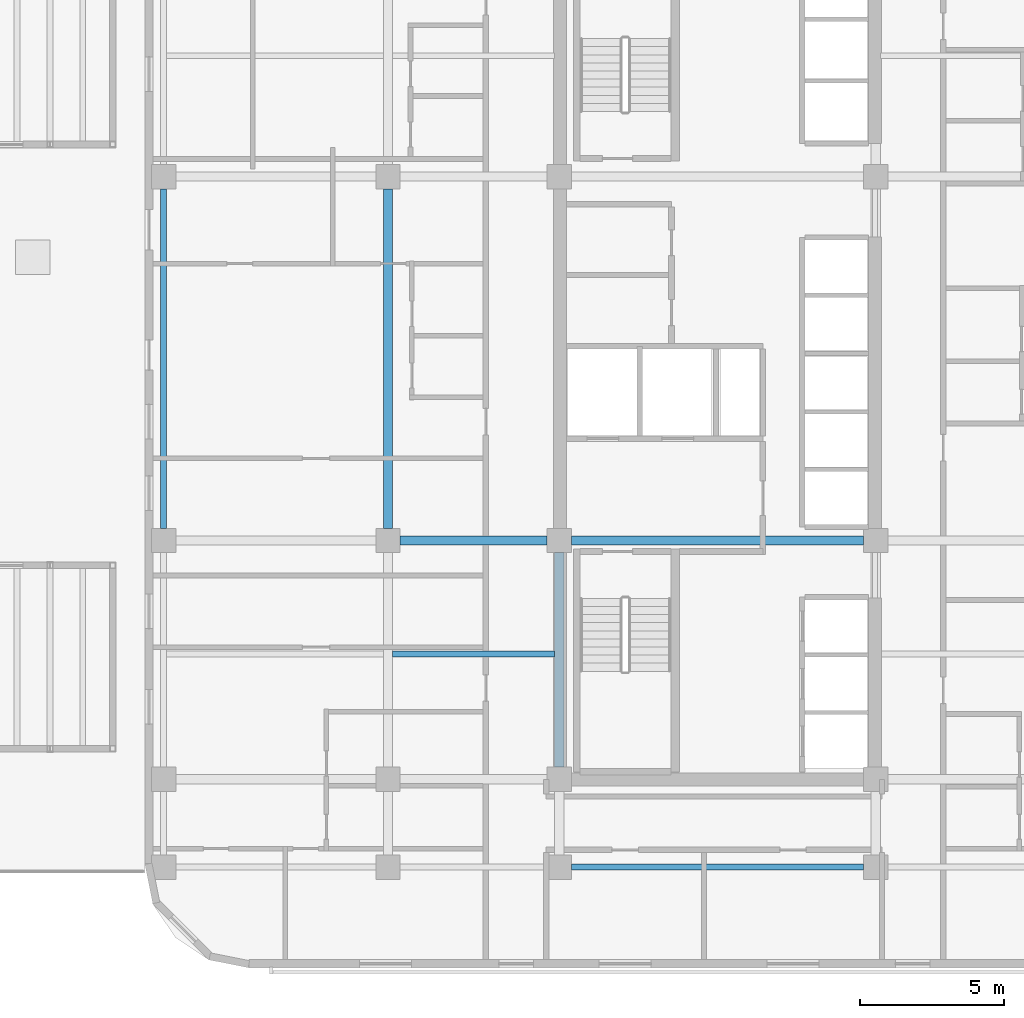
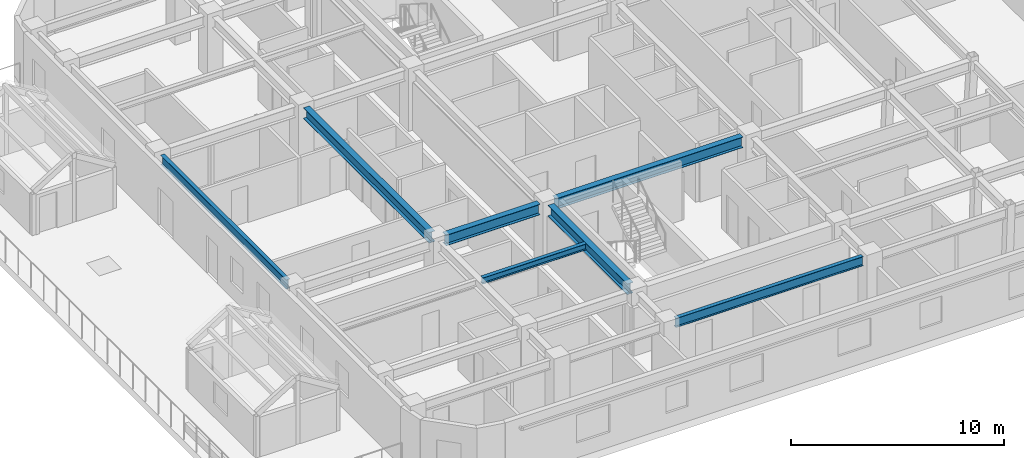
# One storey, part 3 of 19: 7 beams.
"""IFC4 building model written with IfcOpenShell, lengths in metres."""

from ifc_helpers import new_model, si_unit, direction, frame, origin, origin_2d, place, context, subcontext, project, spatial, i_section, extrude, material, material_profile, profile_set, type_object, element, save


model = new_model("IFC4")

# Units and contexts
model_context = context("Model", 3, precision=1e-05, world=origin(), true_north=direction((0.0, 1.0)))
body_context = subcontext(model_context, "Body", "Model", "MODEL_VIEW")
ifc_project = project(units=[si_unit("LENGTHUNIT", "METRE"), si_unit("AREAUNIT", "SQUARE_METRE"), si_unit("VOLUMEUNIT", "CUBIC_METRE"), si_unit("PLANEANGLEUNIT", "RADIAN"), si_unit("MASSUNIT", "GRAM", prefix="KILO")], contexts=[model_context])

# Site, building, storey
site_placement = place(None, origin())
site = spatial("IfcSite", under=ifc_project, at=site_placement, CompositionType="ELEMENT")
building_placement = place(site_placement, origin())
building = spatial("IfcBuilding", under=site, at=building_placement, Name="Ochreholt Gables", CompositionType="ELEMENT")
storey_placement = place(building_placement, frame((0.0, 0.0, 76.800048828125)))
storey = spatial("IfcBuildingStorey", under=building, at=storey_placement, Name="L19", CompositionType="ELEMENT", Elevation=76.800048828125)

# Beams
ifc_material = material(Name="Steel CSA G40.21 350W", Category="steel")
ifc_material_profile_1 = material_profile(ifc_material, i_section(OverallWidth=0.323974609375, OverallDepth=0.611083984375, WebThickness=0.0126953125, FlangeThickness=0.01904296875, at=origin_2d()), Name="W610X155")
ifc_profile_set_1 = profile_set([ifc_material_profile_1], Name="Steel CSA G40.21 350W")
beam_type_1 = type_object("IfcBeamType", Name="BM-G-W610A", PredefinedType="BEAM", material=ifc_profile_set_1)
beam_1_placement = place(storey_placement, frame((18.674560546875, 17.550048828125, 3.054443359375), z_axis=(1.0, 0.0, 0.0), x_axis=(0.0, 1.0, 0.0)))
element("IfcBeam", 1, at=beam_1_placement, inside=storey, type_object=beam_type_1, Name="L19 Beam TBG-L19-W3C1-Y3", PredefinedType="BEAM", context=body_context, shape_type="SweptSolid", body=[
    extrude(i_section(OverallWidth=0.323974609375, OverallDepth=0.611083984375, WebThickness=0.0126953125, FlangeThickness=0.01904296875, at=origin_2d()), origin(), (0.0, 0.0, 1.0), 5.100830078125),
])
beam_2_placement = place(storey_placement, frame((24.62451171875, 17.550048828125, 3.054443359375), z_axis=(1.0, 0.0, 0.0), x_axis=(0.0, 1.0, 0.0)))
element("IfcBeam", 2, at=beam_2_placement, inside=storey, type_object=beam_type_1, Name="L19 Beam TBG-L19-C1C2-Y3", PredefinedType="BEAM", context=body_context, shape_type="SweptSolid", body=[
    extrude(i_section(OverallWidth=0.323974609375, OverallDepth=0.611083984375, WebThickness=0.0126953125, FlangeThickness=0.01904296875, at=origin_2d()), origin(), (0.0, 0.0, 1.0), 10.15087890625),
])
beam_3_placement = place(storey_placement, frame((18.25, 17.974609375, 3.054443359375), z_axis=(0.0, 1.0, 0.0), x_axis=(-1.0, 0.0, 0.0)))
element("IfcBeam", 3, at=beam_3_placement, inside=storey, type_object=beam_type_1, Name="L19 Beam TBN-L19-W3-Y3Y4", PredefinedType="BEAM", context=body_context, shape_type="SweptSolid", body=[
    extrude(i_section(OverallWidth=0.323974609375, OverallDepth=0.611083984375, WebThickness=0.0126953125, FlangeThickness=0.01904296875, at=origin_2d()), origin(), (0.0, 0.0, 1.0), 11.80078125),
])
beam_4_placement = place(storey_placement, frame((24.199951171875, 9.674560546875, 3.054443359375), z_axis=(0.0, 1.0, 0.0), x_axis=(-1.0, 0.0, 0.0)))
element("IfcBeam", 4, at=beam_4_placement, inside=storey, type_object=beam_type_1, Name="L19 Beam TBN-L19-C1-Y2Y3", PredefinedType="BEAM", context=body_context, shape_type="SweptSolid", body=[
    extrude(i_section(OverallWidth=0.323974609375, OverallDepth=0.611083984375, WebThickness=0.0126953125, FlangeThickness=0.01904296875, at=origin_2d()), origin(), (0.0, 0.0, 1.0), 7.450927734375),
])
ifc_material_profile_2 = material_profile(ifc_material, i_section(OverallWidth=0.205078125, OverallDepth=0.35400390625, WebThickness=0.009521484375, FlangeThickness=0.016845703125, at=origin_2d()), Name="W360X79")
ifc_profile_set_2 = profile_set([ifc_material_profile_2], Name="Steel CSA G40.21 350W")
beam_type_2 = type_object("IfcBeamType", Name="BM-J-W360A", PredefinedType="JOIST", material=ifc_profile_set_2)
beam_5_placement = place(storey_placement, frame((18.41162109375, 13.60009765625, 3.182861328125), z_axis=(1.0, 0.0, 0.0), x_axis=(0.0, 1.0, 0.0)))
element("IfcBeam", 5, at=beam_5_placement, inside=storey, type_object=beam_type_2, Name="L19 Beam TBJ-L19-J1-W3C1", PredefinedType="JOIST", context=body_context, shape_type="SweptSolid", body=[
    extrude(i_section(OverallWidth=0.205078125, OverallDepth=0.35400390625, WebThickness=0.009521484375, FlangeThickness=0.016845703125, at=origin_2d()), origin(), (0.0, 0.0, 1.0), 5.626708984375),
])
ifc_material_profile_3 = material_profile(ifc_material, i_section(OverallWidth=0.208984375, OverallDepth=0.532958984375, WebThickness=0.01025390625, FlangeThickness=0.015625, at=origin_2d()), Name="W530X92")
ifc_profile_set_3 = profile_set([ifc_material_profile_3], Name="Steel CSA G40.21 350W")
beam_type_3 = type_object("IfcBeamType", Name="BM-SP-W530B", PredefinedType="SPANDREL", material=ifc_profile_set_3)
beam_6_placement = place(storey_placement, frame((24.62451171875, 6.199951171875, 3.093505859375), z_axis=(1.0, 0.0, 0.0), x_axis=(0.0, 1.0, 0.0)))
element("IfcBeam", 6, at=beam_6_placement, inside=storey, type_object=beam_type_3, Name="L19 Beam TBG-L19-C1C2-Y1", PredefinedType="SPANDREL", context=body_context, shape_type="SweptSolid", body=[
    extrude(i_section(OverallWidth=0.208984375, OverallDepth=0.532958984375, WebThickness=0.01025390625, FlangeThickness=0.015625, at=origin_2d()), origin(), (0.0, 0.0, 1.0), 10.15087890625),
])
beam_7_placement = place(storey_placement, frame((10.449951171875, 17.974609375, 3.093505859375), z_axis=(0.0, 1.0, 0.0), x_axis=(-1.0, 0.0, 0.0)))
element("IfcBeam", 7, at=beam_7_placement, inside=storey, type_object=beam_type_3, Name="L19 Beam TBN-L19-W2-Y3Y4", PredefinedType="SPANDREL", context=body_context, shape_type="SweptSolid", body=[
    extrude(i_section(OverallWidth=0.208984375, OverallDepth=0.532958984375, WebThickness=0.01025390625, FlangeThickness=0.015625, at=origin_2d()), origin(), (0.0, 0.0, 1.0), 11.80078125),
])

save(model, "model.ifc")
